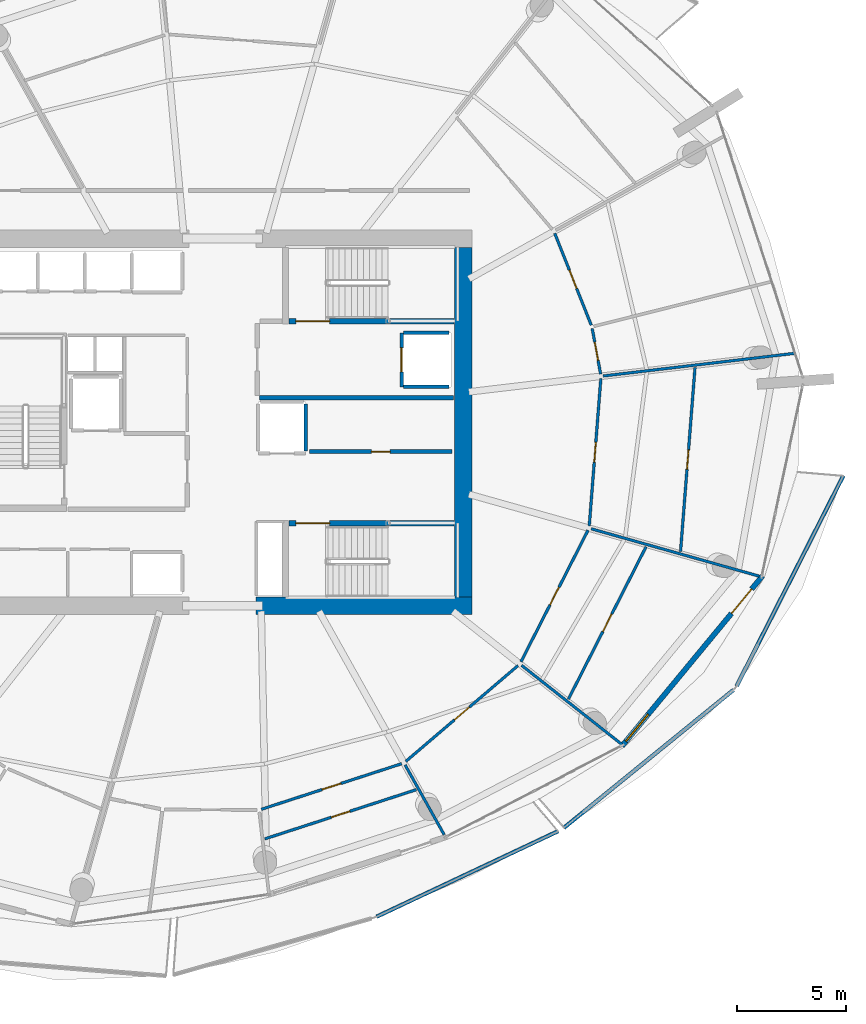
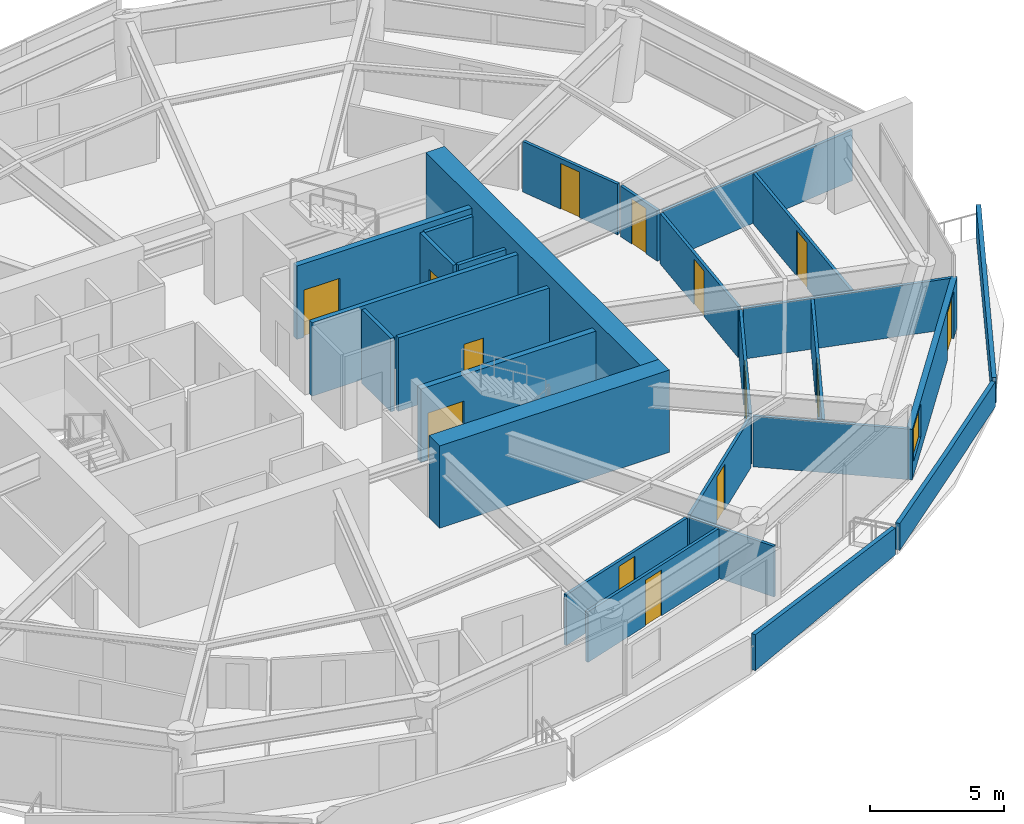
# One storey, part 12 of 19: 27 walls, 14 doors, 1 window, 15 openings.
"""IFC4 building model written with IfcOpenShell, lengths in metres."""

from ifc_helpers import new_model, si_unit, direction, frame, frame_2d, origin, place, context, subcontext, project, spatial, polyline, rectangle, outline, extrude, material, layer, layer_set, type_object, element, fill, save


model = new_model("IFC4")

# Units and contexts
model_context = context("Model", 3, precision=1e-05, world=origin(), true_north=direction((0.0, 1.0)))
body_context = subcontext(model_context, "Body", "Model", "MODEL_VIEW")
ifc_project = project(units=[si_unit("LENGTHUNIT", "METRE"), si_unit("AREAUNIT", "SQUARE_METRE"), si_unit("VOLUMEUNIT", "CUBIC_METRE"), si_unit("PLANEANGLEUNIT", "RADIAN"), si_unit("MASSUNIT", "GRAM", prefix="KILO")], contexts=[model_context])

# Site, building, storey
site_placement = place(None, origin())
site = spatial("IfcSite", under=ifc_project, at=site_placement, CompositionType="ELEMENT")
building_placement = place(site_placement, origin())
building = spatial("IfcBuilding", under=site, at=building_placement, Name="Kazma Halo Residences", CompositionType="ELEMENT")
storey_placement = place(building_placement, frame((0.0, 0.0, 172.800048828125)))
storey = spatial("IfcBuildingStorey", under=building, at=storey_placement, Name="L43", CompositionType="ELEMENT", Elevation=172.800048828125)

# Walls
ifc_material_1 = material(Name="White Concrete C50/60 Balustrade", Category="concrete")
ifc_layer_1 = layer(ifc_material_1, 0.179931640625)
ifc_layer_set_1 = layer_set([ifc_layer_1], Name="White Concrete C50/60 Balustrade")
wall_type_1 = type_object("IfcWallType", Name="WL-BAL-WAVE-180", PredefinedType="PARAPET", material=ifc_layer_set_1)
wall_1_placement = place(storey_placement, frame((55.4775390625, 19.371826171875, 0.0), z_axis=(0.0, 0.0, 1.0), x_axis=(0.904569140233, 0.42632695263, 0.0)))
element("IfcWall", 1, at=wall_1_placement, inside=storey, type_object=wall_type_1, Name="L43 white wave balustrade wall SSE.2", PredefinedType="PARAPET", context=body_context, shape_type="SweptSolid", body=[
    extrude(outline(polyline([(0.0, 0.0), (9.184326171875, 0.0), (9.184326171875, 1.23291015625), (4.59228515625, 1.41796875), (0.0, 1.6318359375), (0.0, 0.0)])), frame((0.0, 0.08984375, 0.0), z_axis=(0.0, -1.0, 0.0), x_axis=(1.0, 0.0, 0.0)), (0.0, 0.0, 1.0), 0.179931640625),
])
wall_2_placement = place(storey_placement, frame((64.048828125, 23.43994140625, 0.0), z_axis=(0.0, 0.0, 1.0), x_axis=(0.77587192649, 0.630890445073, 0.0)))
element("IfcWall", 2, at=wall_2_placement, inside=storey, type_object=wall_type_1, Name="L43 white wave balustrade wall SE.1", PredefinedType="PARAPET", context=body_context, shape_type="SweptSolid", body=[
    extrude(outline(polyline([(0.0, 0.0), (9.99755859375, 0.0), (9.99755859375, 1.14794921875), (4.998779296875, 1.126953125), (0.0, 1.223876953125), (0.0, 0.0)])), frame((0.0, 0.08984375, 0.0), z_axis=(0.0, -1.0, 0.0), x_axis=(1.0, 0.0, 0.0)), (0.0, 0.0, 1.0), 0.179931640625),
])
wall_3_placement = place(storey_placement, frame((71.952880859375, 29.929931640625, 0.0), z_axis=(0.0, 0.0, 1.0), x_axis=(0.452409779831, 0.891810176615, 0.0)))
element("IfcWall", 3, at=wall_3_placement, inside=storey, type_object=wall_type_1, Name="L43 white wave balustrade wall SE.2", PredefinedType="PARAPET", context=body_context, shape_type="SweptSolid", body=[
    extrude(outline(polyline([(0.0, 0.0), (10.790771484375, 0.0), (10.79052734375, 1.48291015625), (5.395263671875, 1.283935546875), (0.0, 1.14794921875), (0.0, 0.0)])), frame((0.0, 0.08984375, 0.0), z_axis=(0.0, -1.0, 0.0), x_axis=(1.0, 0.0, 0.0)), (0.0, 0.0, 1.0), 0.179931640625),
])
ifc_material_2 = material(Name="Concrete C80/95", Category="concrete")
ifc_layer_2 = layer(ifc_material_2, 0.800048828125)
ifc_layer_set_2 = layer_set([ifc_layer_2], Name="Concrete C80/95")
wall_type_2 = type_object("IfcWallType", Name="WL-CORE-800", PredefinedType="SHEAR", material=ifc_layer_set_2)
wall_4_placement = place(storey_placement, frame((49.949951171875, 33.60009765625, 0.0), z_axis=(0.0, 0.0, 1.0), x_axis=(1.0, 0.0, 0.0)))
element("IfcWall", 4, at=wall_4_placement, inside=storey, type_object=wall_type_2, Name="L43 central core shear wall SE", PredefinedType="SHEAR", context=body_context, shape_type="SweptSolid", body=[
    extrude(rectangle(XDim=9.900146484375, YDim=0.800048828125, at=frame_2d((4.9501953125, 0.0))), origin(), (0.0, 0.0, 1.0), 3.75),
])
wall_5_placement = place(storey_placement, frame((59.449951171875, 34.0, 0.0), z_axis=(0.0, 0.0, 1.0), x_axis=(0.0, 1.0, 0.0)))
element("IfcWall", 5, at=wall_5_placement, inside=storey, type_object=wall_type_2, Name="L43 central core shear wall E", PredefinedType="SHEAR", context=body_context, shape_type="SweptSolid", body=[
    extrude(rectangle(XDim=16.0, YDim=0.800048828125, at=frame_2d((8.0, 0.0))), origin(), (0.0, 0.0, 1.0), 3.75),
])

# Wall, openings, door, window
ifc_material_3 = material(Name="Insulated Pale-Metal Composite Wall")
ifc_layer_3 = layer(ifc_material_3, 0.239990234375)
ifc_layer_set_3 = layer_set([ifc_layer_3], Name="Insulated Pale-Metal Composite Wall")
wall_type_3 = type_object("IfcWallType", Name="WL-EXT-HOST-240", PredefinedType="SOLIDWALL", material=ifc_layer_set_3)
wall_6_placement = place(storey_placement, frame((66.70947265625, 27.18701171875, 0.0), z_axis=(0.0, 0.0, 1.0), x_axis=(0.636771922292, 0.77105221547, 0.0)))
wall_6 = element("IfcWall", 6, at=wall_6_placement, inside=storey, type_object=wall_type_3, Name="L43 exterior terrace-access wall B14", PredefinedType="SOLIDWALL", context=body_context, shape_type="SweptSolid", body=[
    extrude(rectangle(XDim=10.08154296875, YDim=0.239990234375, at=frame_2d((5.040771484375, 0.0))), origin(), (0.0, 0.0, 1.0), 2.300048828125),
])
opening_1_placement = place(wall_6_placement, frame((7.861572265625, 0.0, 0.0)))
opening_1 = element("IfcOpeningElement", 7, at=opening_1_placement, cuts=wall_6, Name="Opening DTR-1600", PredefinedType="OPENING", context=body_context, shape_type="SweptSolid", body=[
    extrude(rectangle(XDim=1.449951171875, YDim=2.14990234375, at=frame_2d((0.72509765625, 1.074951171875))), frame((0.0, 0.1298828125, 0.0), z_axis=(0.0, -1.0, 0.0), x_axis=(1.0, 0.0, 0.0)), (0.0, 0.0, 1.0), 0.260009765625),
])
opening_2_placement = place(wall_6_placement, frame((0.280029296875, 0.0, 0.64990234375)))
opening_2 = element("IfcOpeningElement", 8, at=opening_2_placement, cuts=wall_6, Name="Opening W-1800", PredefinedType="OPENING", context=body_context, shape_type="SweptSolid", body=[
    extrude(rectangle(XDim=1.60009765625, YDim=1.5, at=frame_2d((0.800048828125, 0.75))), frame((0.0, 0.1298828125, 0.0), z_axis=(0.0, -1.0, 0.0), x_axis=(1.0, 0.0, 0.0)), (0.0, 0.0, 1.0), 0.260009765625),
])
ifc_material_4 = material(Name="Aluminium AW-6063 T6 Double-Glazed Terrace Door", Category="aluminium")
door_type_1 = type_object("IfcDoorType", Name="DR-EXT-TERR-1600", OperationType="NOTDEFINED", PredefinedType="DOOR", material=ifc_material_4)
door_1_placement = place(opening_1_placement, origin())
door_1 = element("IfcDoor", 9, at=door_1_placement, inside=storey, type_object=door_type_1, Name="L43 B14 balcony terrace door", OperationType="DOUBLE_DOOR_SLIDING", OverallHeight=2.14990234375, OverallWidth=1.449951171875, PredefinedType="DOOR", context=body_context, shape_type="SweptSolid", body=[
    extrude(rectangle(XDim=1.449951171875, YDim=2.14990234375, at=frame_2d((0.72509765625, 1.074951171875))), frame((0.0, 0.02490234375, 0.0), z_axis=(0.0, -1.0, 0.0), x_axis=(1.0, 0.0, 0.0)), (0.0, 0.0, 1.0), 0.050048828125),
])
fill(opening_1, door_1)
ifc_material_5 = material(Name="Clear Triple-Silver Low-E Glass in Aluminium AW-6063 T6 Frame", Category="aluminium")
window_type = type_object("IfcWindowType", Name="WIN-RES-1800", PartitioningType="DOUBLE_PANEL_VERTICAL", PredefinedType="WINDOW", material=ifc_material_5)
window_placement = place(opening_2_placement, origin())
window = element("IfcWindow", 10, at=window_placement, inside=storey, type_object=window_type, Name="L43 B14 apartment window", OverallHeight=1.5, OverallWidth=1.60009765625, PartitioningType="SINGLE_PANEL", PredefinedType="WINDOW", context=body_context, shape_type="SweptSolid", body=[
    extrude(rectangle(XDim=1.60009765625, YDim=1.5, at=frame_2d((0.800048828125, 0.75))), frame((0.0, 0.030029296875, 0.0), z_axis=(0.0, -1.0, 0.0), x_axis=(1.0, 0.0, 0.0)), (0.0, 0.0, 1.0), 0.06005859375),
])
fill(opening_2, window)

# Wall, opening, door
ifc_material_6 = material(Name="Fire-Rated Blockwork Masonry", Category="masonry")
ifc_layer_4 = layer(ifc_material_6, 0.199951171875)
ifc_layer_set_4 = layer_set([ifc_layer_4], Name="Fire-Rated Blockwork Masonry")
wall_type_4 = type_object("IfcWallType", Name="WL-FLB-200", PredefinedType="PARTITIONING", material=ifc_layer_set_4)
wall_7_placement = place(storey_placement, frame((56.6201171875, 46.080078125, 0.0), z_axis=(0.0, 0.0, 1.0), x_axis=(0.0, -1.0, 0.0)))
wall_7 = element("IfcWall", 11, at=wall_7_placement, inside=storey, type_object=wall_type_4, Name="L43 lift shaft FL-02 front wall", PredefinedType="PARTITIONING", context=body_context, shape_type="SweptSolid", body=[
    extrude(rectangle(XDim=2.4599609375, YDim=0.159912109375, at=frame_2d((1.22998046875, 0.0))), origin(), (0.0, 0.0, 1.0), 3.349853515625),
])
opening_3_placement = place(wall_7_placement, frame((0.679931640625, 0.0, 0.0)))
opening_3 = element("IfcOpeningElement", 12, at=opening_3_placement, cuts=wall_7, Name="Opening LD-FL-02", PredefinedType="OPENING", context=body_context, shape_type="SweptSolid", body=[
    extrude(rectangle(XDim=1.10009765625, YDim=2.10009765625, at=frame_2d((0.550048828125, 1.050048828125))), frame((0.0, 0.08984375, 0.0), z_axis=(0.0, -1.0, 0.0), x_axis=(1.0, 0.0, 0.0)), (0.0, 0.0, 1.0), 0.179931640625),
])
ifc_material_7 = material(Name="Stainless Steel Fire-Rated", Category="steel")
door_type_2 = type_object("IfcDoorType", Name="DR-LIFT-SLD-1100", OperationType="DOUBLE_DOOR_SLIDING", PredefinedType="DOOR", material=ifc_material_7)
door_2_placement = place(opening_3_placement, origin())
door_2 = element("IfcDoor", 13, at=door_2_placement, inside=storey, type_object=door_type_2, Name="L43 lift FL-02 sliding landing door", OperationType="DOUBLE_DOOR_SLIDING", OverallHeight=2.10009765625, OverallWidth=1.10009765625, PredefinedType="DOOR", context=body_context, shape_type="SweptSolid", body=[
    extrude(rectangle(XDim=1.10009765625, YDim=2.10009765625, at=frame_2d((0.550048828125, 1.050048828125))), frame((0.0, 0.02490234375, 0.0), z_axis=(0.0, -1.0, 0.0), x_axis=(1.0, 0.0, 0.0)), (0.0, 0.0, 1.0), 0.050048828125),
])
fill(opening_3, door_2)

# Walls
for number, where, z_axis, x_axis, name in (
    (14, (56.719970703125, 46.080078125, 0.0), (0.0, 0.0, 1.0), (1.0, 0.0, 0.0), "L43 lift shaft FL-02 side wall N"),
    (15, (56.719970703125, 43.6201171875, 0.0), (0.0, 0.0, 1.0), (1.0, 0.0, 0.0), "L43 lift shaft FL-02 side wall S"),
):
    element("IfcWall", number, at=place(storey_placement, frame(where, z_axis=z_axis, x_axis=x_axis)), inside=storey, type_object=wall_type_4, Name=name, PredefinedType="PARTITIONING", context=body_context, shape_type="SweptSolid", body=[
        extrude(rectangle(XDim=2.06005859375, YDim=0.159912109375, at=frame_2d((1.030029296875, 0.0))), origin(), (0.0, 0.0, 1.0), 3.349853515625),
    ])
wall_8_placement = place(storey_placement, frame((52.22998046875, 40.669921875, 0.0), z_axis=(0.0, 0.0, 1.0), x_axis=(0.0, 1.0, 0.0)))
element("IfcWall", 16, at=wall_8_placement, inside=storey, type_object=wall_type_4, Name="L43 lift shaft SV-01 side wall E", PredefinedType="PARTITIONING", context=body_context, shape_type="SweptSolid", body=[
    extrude(rectangle(XDim=2.16015625, YDim=0.159912109375, at=frame_2d((1.080078125, 0.0))), origin(), (0.0, 0.0, 1.0), 3.349853515625),
])

# Wall, opening, door
wall_9_placement = place(storey_placement, frame((52.419921875, 40.64990234375, 0.0), z_axis=(0.0, 0.0, 1.0), x_axis=(1.0, 0.0, 0.0)))
wall_9 = element("IfcWall", 17, at=wall_9_placement, inside=storey, type_object=wall_type_4, Name="L43 core east reserve wall", PredefinedType="PARTITIONING", context=body_context, shape_type="SweptSolid", body=[
    extrude(rectangle(XDim=6.5, YDim=0.179931640625, at=frame_2d((3.25, 0.0))), origin(), (0.0, 0.0, 1.0), 3.349853515625),
])
opening_4_placement = place(wall_9_placement, frame((2.824951171875, 0.0, 0.0)))
opening_4 = element("IfcOpeningElement", 18, at=opening_4_placement, cuts=wall_9, Name="Opening DS-850", PredefinedType="OPENING", context=body_context, shape_type="SweptSolid", body=[
    extrude(rectangle(XDim=0.85009765625, YDim=2.06005859375, at=frame_2d((0.425048828125, 1.030029296875))), frame((0.0, 0.099853515625, 0.0), z_axis=(0.0, -1.0, 0.0), x_axis=(1.0, 0.0, 0.0)), (0.0, 0.0, 1.0), 0.199951171875),
])
ifc_material_8 = material(Name="Painted Steel Access Leaf", Category="steel")
door_type_3 = type_object("IfcDoorType", Name="DR-SVC-850", OperationType="NOTDEFINED", PredefinedType="DOOR", material=ifc_material_8)
door_3_placement = place(opening_4_placement, origin())
door_3 = element("IfcDoor", 19, at=door_3_placement, inside=storey, type_object=door_type_3, Name="L43 core east reserve door", OperationType="SINGLE_SWING_RIGHT", OverallHeight=2.06005859375, OverallWidth=0.85009765625, PredefinedType="DOOR", context=body_context, shape_type="SweptSolid", body=[
    extrude(rectangle(XDim=0.85009765625, YDim=2.06005859375, at=frame_2d((0.425048828125, 1.030029296875))), frame((0.0, 0.02490234375, 0.0), z_axis=(0.0, -1.0, 0.0), x_axis=(1.0, 0.0, 0.0)), (0.0, 0.0, 1.0), 0.050048828125),
])
fill(opening_4, door_3)

# Wall
wall_10_placement = place(storey_placement, frame((50.1201171875, 43.1201171875, 0.0), z_axis=(0.0, 0.0, 1.0), x_axis=(1.0, 0.0, 0.0)))
element("IfcWall", 20, at=wall_10_placement, inside=storey, type_object=wall_type_4, Name="L43 east firefighting lobby south smoke wall", PredefinedType="PARTITIONING", context=body_context, shape_type="SweptSolid", body=[
    extrude(rectangle(XDim=8.8798828125, YDim=0.199951171875, at=frame_2d((4.43994140625, 0.0))), origin(), (0.0, 0.0, 1.0), 3.349853515625),
])

# Wall, opening, door
ifc_material_9 = material(Name="Gypsum Plasterboard Partition")
ifc_layer_5 = layer(ifc_material_9, 0.125)
ifc_layer_set_5 = layer_set([ifc_layer_5], Name="Gypsum Plasterboard Partition")
wall_type_5 = type_object("IfcWallType", Name="WL-PART-125", PredefinedType="PARTITIONING", material=ifc_layer_set_5)
wall_11_placement = place(storey_placement, frame((50.205078125, 24.287841796875, 0.0), z_axis=(0.0, 0.0, 1.0), x_axis=(0.951056650279, 0.309016582016, 0.0)))
wall_11 = element("IfcWall", 21, at=wall_11_placement, inside=storey, type_object=wall_type_5, Name="L43 Apartment 2 East Study hall wall", PredefinedType="PARTITIONING", context=body_context, shape_type="SweptSolid", body=[
    extrude(rectangle(XDim=6.752685546875, YDim=0.125, at=frame_2d((3.37646484375, 0.0))), origin(), (0.0, 0.0, 1.0), 2.306884765625),
])
opening_5_placement = place(wall_11_placement, frame((2.92626953125, 0.0, 0.0)))
opening_5 = element("IfcOpeningElement", 22, at=opening_5_placement, cuts=wall_11, Name="Opening DI-950", PredefinedType="OPENING", context=body_context, shape_type="SweptSolid", body=[
    extrude(rectangle(XDim=0.89990234375, YDim=2.080078125, at=frame_2d((0.449951171875, 1.0400390625))), frame((0.0, 0.072509765625, 0.0), z_axis=(0.0, -1.0, 0.0), x_axis=(1.0, 0.0, 0.0)), (0.0, 0.0, 1.0), 0.14501953125),
])
ifc_material_10 = material(Name="Timber Veneer Flush Leaf", Category="wood")
door_type_4 = type_object("IfcDoorType", Name="DR-INT-950", OperationType="NOTDEFINED", PredefinedType="DOOR", material=ifc_material_10)
door_4_placement = place(opening_5_placement, origin())
door_4 = element("IfcDoor", 23, at=door_4_placement, inside=storey, type_object=door_type_4, Name="L43 Apartment 2 East Study door", OperationType="SINGLE_SWING_LEFT", OverallHeight=2.080078125, OverallWidth=0.89990234375, PredefinedType="DOOR", context=body_context, shape_type="SweptSolid", body=[
    extrude(rectangle(XDim=0.89990234375, YDim=2.080078125, at=frame_2d((0.449951171875, 1.0400390625))), frame((0.0, 0.02490234375, 0.0), z_axis=(0.0, -1.0, 0.0), x_axis=(1.0, 0.0, 0.0)), (0.0, 0.0, 1.0), 0.050048828125),
])
fill(opening_5, door_4)

wall_12_placement = place(storey_placement, frame((50.365234375, 22.934326171875, 0.0), z_axis=(0.0, 0.0, 1.0), x_axis=(0.951058941496, 0.309009530274, 0.0)))
wall_12 = element("IfcWall", 24, at=wall_12_placement, inside=storey, type_object=wall_type_5, Name="L43 Apartment 2 West Bedroom divider wall", PredefinedType="PARTITIONING", context=body_context, shape_type="SweptSolid", body=[
    extrude(rectangle(XDim=7.284423828125, YDim=0.125, at=frame_2d((3.64208984375, 0.0))), origin(), (0.0, 0.0, 1.0), 2.306884765625),
])
opening_6_placement = place(wall_12_placement, frame((3.192138671875, 0.0, 0.0)))
opening_6 = element("IfcOpeningElement", 25, at=opening_6_placement, cuts=wall_12, Name="Opening DI-950", PredefinedType="OPENING", context=body_context, shape_type="SweptSolid", body=[
    extrude(rectangle(XDim=0.89990234375, YDim=2.080078125, at=frame_2d((0.449951171875, 1.0400390625))), frame((0.0, 0.072509765625, 0.0), z_axis=(0.0, -1.0, 0.0), x_axis=(1.0, 0.0, 0.0)), (0.0, 0.0, 1.0), 0.14501953125),
])
door_5_placement = place(opening_6_placement, origin())
door_5 = element("IfcDoor", 26, at=door_5_placement, inside=storey, type_object=door_type_4, Name="L43 Apartment 2 West Bedroom door", OperationType="SINGLE_SWING_RIGHT", OverallHeight=2.080078125, OverallWidth=0.89990234375, PredefinedType="DOOR", context=body_context, shape_type="SweptSolid", body=[
    extrude(rectangle(XDim=0.89990234375, YDim=2.080078125, at=frame_2d((0.449951171875, 1.0400390625))), frame((0.0, 0.02490234375, 0.0), z_axis=(0.0, -1.0, 0.0), x_axis=(1.0, 0.0, 0.0)), (0.0, 0.0, 1.0), 0.050048828125),
])
fill(opening_6, door_5)

# Wall
wall_13_placement = place(storey_placement, frame((56.780517578125, 26.3212890625, 0.0), z_axis=(0.0, 0.0, 1.0), x_axis=(0.488615541235, -0.872499199348, 0.0)))
element("IfcWall", 27, at=wall_13_placement, inside=storey, type_object=wall_type_5, Name="L43 Apartment 2 radial partition 12", PredefinedType="PARTITIONING", context=body_context, shape_type="SweptSolid", body=[
    extrude(rectangle(XDim=3.66455078125, YDim=0.125, at=frame_2d((1.832275390625, 0.0))), origin(), (0.0, 0.0, 1.0), 2.306884765625),
])

# Wall, opening, door
wall_14_placement = place(storey_placement, frame((56.815185546875, 26.47998046875, 0.0), z_axis=(0.0, 0.0, 1.0), x_axis=(0.760406411553, 0.649447526186, 0.0)))
wall_14 = element("IfcWall", 28, at=wall_14_placement, inside=storey, type_object=wall_type_5, Name="L43 Apartment 2 North Formal Dining Room gallery wall", PredefinedType="PARTITIONING", context=body_context, shape_type="SweptSolid", body=[
    extrude(rectangle(XDim=6.752685546875, YDim=0.125, at=frame_2d((3.37646484375, 0.0))), origin(), (0.0, 0.0, 1.0), 2.306884765625),
])
opening_7_placement = place(wall_14_placement, frame((2.92626953125, 0.0, 0.0)))
opening_7 = element("IfcOpeningElement", 29, at=opening_7_placement, cuts=wall_14, Name="Opening DI-950", PredefinedType="OPENING", context=body_context, shape_type="SweptSolid", body=[
    extrude(rectangle(XDim=0.89990234375, YDim=2.080078125, at=frame_2d((0.449951171875, 1.0400390625))), frame((0.0, 0.072509765625, 0.0), z_axis=(0.0, -1.0, 0.0), x_axis=(1.0, 0.0, 0.0)), (0.0, 0.0, 1.0), 0.14501953125),
])
door_6_placement = place(opening_7_placement, origin())
door_6 = element("IfcDoor", 30, at=door_6_placement, inside=storey, type_object=door_type_4, Name="L43 Apartment 2 North Formal Dining Room door", OperationType="SINGLE_SWING_RIGHT", OverallHeight=2.080078125, OverallWidth=0.89990234375, PredefinedType="DOOR", context=body_context, shape_type="SweptSolid", body=[
    extrude(rectangle(XDim=0.89990234375, YDim=2.080078125, at=frame_2d((0.449951171875, 1.0400390625))), frame((0.0, 0.02490234375, 0.0), z_axis=(0.0, -1.0, 0.0), x_axis=(1.0, 0.0, 0.0)), (0.0, 0.0, 1.0), 0.050048828125),
])
fill(opening_7, door_6)

# Wall
wall_15_placement = place(storey_placement, frame((62.112060546875, 30.875, 0.0), z_axis=(0.0, 0.0, 1.0), x_axis=(0.785328664081, -0.619079065526, 0.0)))
element("IfcWall", 31, at=wall_15_placement, inside=storey, type_object=wall_type_5, Name="L43 Apartment 2 radial partition 13", PredefinedType="PARTITIONING", context=body_context, shape_type="SweptSolid", body=[
    extrude(rectangle(XDim=5.86962890625, YDim=0.125, at=frame_2d((2.934814453125, 0.0))), origin(), (0.0, 0.0, 1.0), 2.306884765625),
])

# Wall, opening, door
wall_16_placement = place(storey_placement, frame((62.08349609375, 31.034912109375, 0.0), z_axis=(0.0, 0.0, 1.0), x_axis=(0.453997813939, 0.89100279738, 0.0)))
wall_16 = element("IfcWall", 32, at=wall_16_placement, inside=storey, type_object=wall_type_5, Name="L43 Apartment 2 South Study hall wall", PredefinedType="PARTITIONING", context=body_context, shape_type="SweptSolid", body=[
    extrude(rectangle(XDim=6.752685546875, YDim=0.125, at=frame_2d((3.37646484375, 0.0))), origin(), (0.0, 0.0, 1.0), 2.306884765625),
])
opening_8_placement = place(wall_16_placement, frame((2.92626953125, 0.0, 0.0)))
opening_8 = element("IfcOpeningElement", 33, at=opening_8_placement, cuts=wall_16, Name="Opening DI-950", PredefinedType="OPENING", context=body_context, shape_type="SweptSolid", body=[
    extrude(rectangle(XDim=0.89990234375, YDim=2.080078125, at=frame_2d((0.449951171875, 1.0400390625))), frame((0.0, 0.072509765625, 0.0), z_axis=(0.0, -1.0, 0.0), x_axis=(1.0, 0.0, 0.0)), (0.0, 0.0, 1.0), 0.14501953125),
])
door_7_placement = place(opening_8_placement, origin())
door_7 = element("IfcDoor", 34, at=door_7_placement, inside=storey, type_object=door_type_4, Name="L43 Apartment 2 South Study door", OperationType="SINGLE_SWING_LEFT", OverallHeight=2.080078125, OverallWidth=0.89990234375, PredefinedType="DOOR", context=body_context, shape_type="SweptSolid", body=[
    extrude(rectangle(XDim=0.89990234375, YDim=2.080078125, at=frame_2d((0.449951171875, 1.0400390625))), frame((0.0, 0.02490234375, 0.0), z_axis=(0.0, -1.0, 0.0), x_axis=(1.0, 0.0, 0.0)), (0.0, 0.0, 1.0), 0.050048828125),
])
fill(opening_8, door_7)

wall_17_placement = place(storey_placement, frame((64.252685546875, 29.324951171875, 0.0), z_axis=(0.0, 0.0, 1.0), x_axis=(0.454010321108, 0.890996424419, 0.0)))
wall_17 = element("IfcWall", 35, at=wall_17_placement, inside=storey, type_object=wall_type_5, Name="L43 Apartment 2 Inner Master Bedroom divider wall", PredefinedType="PARTITIONING", context=body_context, shape_type="SweptSolid", body=[
    extrude(rectangle(XDim=7.830078125, YDim=0.125, at=frame_2d((3.9150390625, 0.0))), origin(), (0.0, 0.0, 1.0), 2.306884765625),
])
opening_9_placement = place(wall_17_placement, frame((3.465087890625, 0.0, 0.0)))
opening_9 = element("IfcOpeningElement", 36, at=opening_9_placement, cuts=wall_17, Name="Opening DI-950", PredefinedType="OPENING", context=body_context, shape_type="SweptSolid", body=[
    extrude(rectangle(XDim=0.89990234375, YDim=2.080078125, at=frame_2d((0.449951171875, 1.0400390625))), frame((0.0, 0.072509765625, 0.0), z_axis=(0.0, -1.0, 0.0), x_axis=(1.0, 0.0, 0.0)), (0.0, 0.0, 1.0), 0.14501953125),
])
door_8_placement = place(opening_9_placement, origin())
door_8 = element("IfcDoor", 37, at=door_8_placement, inside=storey, type_object=door_type_4, Name="L43 Apartment 2 Inner Master Bedroom door", OperationType="SINGLE_SWING_RIGHT", OverallHeight=2.080078125, OverallWidth=0.89990234375, PredefinedType="DOOR", context=body_context, shape_type="SweptSolid", body=[
    extrude(rectangle(XDim=0.89990234375, YDim=2.080078125, at=frame_2d((0.449951171875, 1.0400390625))), frame((0.0, 0.02490234375, 0.0), z_axis=(0.0, -1.0, 0.0), x_axis=(1.0, 0.0, 0.0)), (0.0, 0.0, 1.0), 0.050048828125),
])
fill(opening_9, door_8)

# Wall
wall_18_placement = place(storey_placement, frame((65.29541015625, 37.122314453125, 0.0), z_axis=(0.0, 0.0, 1.0), x_axis=(0.962453364466, -0.271447087346, 0.0)))
element("IfcWall", 38, at=wall_18_placement, inside=storey, type_object=wall_type_5, Name="L43 Apartment 2 radial partition 14", PredefinedType="PARTITIONING", context=body_context, shape_type="SweptSolid", body=[
    extrude(rectangle(XDim=7.981201171875, YDim=0.125, at=frame_2d((3.99072265625, 0.0))), origin(), (0.0, 0.0, 1.0), 2.306884765625),
])

# Wall, opening, door
wall_19_placement = place(storey_placement, frame((65.207763671875, 37.259033203125, 0.0), z_axis=(0.0, 0.0, 1.0), x_axis=(0.078457580711, 0.996917452966, 0.0)))
wall_19 = element("IfcWall", 39, at=wall_19_placement, inside=storey, type_object=wall_type_5, Name="L43 Apartment 2 Outer Study hall wall", PredefinedType="PARTITIONING", context=body_context, shape_type="SweptSolid", body=[
    extrude(rectangle(XDim=6.75244140625, YDim=0.125, at=frame_2d((3.376220703125, 0.0))), origin(), (0.0, 0.0, 1.0), 2.306884765625),
])
opening_10_placement = place(wall_19_placement, frame((2.92626953125, 0.0, 0.0)))
opening_10 = element("IfcOpeningElement", 40, at=opening_10_placement, cuts=wall_19, Name="Opening DI-950", PredefinedType="OPENING", context=body_context, shape_type="SweptSolid", body=[
    extrude(rectangle(XDim=0.89990234375, YDim=2.080078125, at=frame_2d((0.449951171875, 1.0400390625))), frame((0.0, 0.072509765625, 0.0), z_axis=(0.0, -1.0, 0.0), x_axis=(1.0, 0.0, 0.0)), (0.0, 0.0, 1.0), 0.14501953125),
])
door_9_placement = place(opening_10_placement, origin())
door_9 = element("IfcDoor", 41, at=door_9_placement, inside=storey, type_object=door_type_4, Name="L43 Apartment 2 Outer Study door", OperationType="SINGLE_SWING_RIGHT", OverallHeight=2.080078125, OverallWidth=0.89990234375, PredefinedType="DOOR", context=body_context, shape_type="SweptSolid", body=[
    extrude(rectangle(XDim=0.89990234375, YDim=2.080078125, at=frame_2d((0.449951171875, 1.0400390625))), frame((0.0, 0.02490234375, 0.0), z_axis=(0.0, -1.0, 0.0), x_axis=(1.0, 0.0, 0.0)), (0.0, 0.0, 1.0), 0.050048828125),
])
fill(opening_10, door_9)

wall_20_placement = place(storey_placement, frame((69.3837890625, 36.081298828125, 0.0), z_axis=(0.0, 0.0, 1.0), x_axis=(0.078456019855, 0.996917575805, 0.0)))
wall_20 = element("IfcWall", 42, at=wall_20_placement, inside=storey, type_object=wall_type_5, Name="L43 Apartment 2 Corner Master Bedroom divider wall", PredefinedType="PARTITIONING", context=body_context, shape_type="SweptSolid", body=[
    extrude(rectangle(XDim=8.445556640625, YDim=0.125, at=frame_2d((4.22265625, 0.0))), origin(), (0.0, 0.0, 1.0), 2.306884765625),
])
opening_11_placement = place(wall_20_placement, frame((3.772705078125, 0.0, 0.0)))
opening_11 = element("IfcOpeningElement", 43, at=opening_11_placement, cuts=wall_20, Name="Opening DI-950", PredefinedType="OPENING", context=body_context, shape_type="SweptSolid", body=[
    extrude(rectangle(XDim=0.89990234375, YDim=2.080078125, at=frame_2d((0.449951171875, 1.0400390625))), frame((0.0, 0.072509765625, 0.0), z_axis=(0.0, -1.0, 0.0), x_axis=(1.0, 0.0, 0.0)), (0.0, 0.0, 1.0), 0.14501953125),
])
door_10_placement = place(opening_11_placement, origin())
door_10 = element("IfcDoor", 44, at=door_10_placement, inside=storey, type_object=door_type_4, Name="L43 Apartment 2 Corner Master Bedroom door", OperationType="SINGLE_SWING_LEFT", OverallHeight=2.080078125, OverallWidth=0.89990234375, PredefinedType="DOOR", context=body_context, shape_type="SweptSolid", body=[
    extrude(rectangle(XDim=0.89990234375, YDim=2.080078125, at=frame_2d((0.449951171875, 1.0400390625))), frame((0.0, 0.02490234375, 0.0), z_axis=(0.0, -1.0, 0.0), x_axis=(1.0, 0.0, 0.0)), (0.0, 0.0, 1.0), 0.050048828125),
])
fill(opening_11, door_10)

# Wall
wall_21_placement = place(storey_placement, frame((65.845458984375, 44.1123046875, 0.0), z_axis=(0.0, 0.0, 1.0), x_axis=(0.993069843717, 0.117525680174, 0.0)))
element("IfcWall", 45, at=wall_21_placement, inside=storey, type_object=wall_type_5, Name="L43 Apartment 2 radial partition 15", PredefinedType="PARTITIONING", context=body_context, shape_type="SweptSolid", body=[
    extrude(rectangle(XDim=8.816162109375, YDim=0.125, at=frame_2d((4.408203125, 0.0))), origin(), (0.0, 0.0, 1.0), 2.306884765625),
])

# Wall, opening, door
wall_22_placement = place(storey_placement, frame((65.72802734375, 44.19873046875, 0.0), z_axis=(0.0, 0.0, 1.0), x_axis=(-0.181256219824, 0.983435906796, 0.0)))
wall_22 = element("IfcWall", 46, at=wall_22_placement, inside=storey, type_object=wall_type_5, Name="L43 Apartment 2 Garden Wine Pantry Store hall wall", PredefinedType="PARTITIONING", context=body_context, shape_type="SweptSolid", body=[
    extrude(rectangle(XDim=2.1201171875, YDim=0.125, at=frame_2d((1.06005859375, 0.0))), origin(), (0.0, 0.0, 1.0), 2.306884765625),
])
opening_12_placement = place(wall_22_placement, frame((0.635009765625, 0.0, 0.0)))
opening_12 = element("IfcOpeningElement", 47, at=opening_12_placement, cuts=wall_22, Name="Opening DB-900", PredefinedType="OPENING", context=body_context, shape_type="SweptSolid", body=[
    extrude(rectangle(XDim=0.85009765625, YDim=2.06005859375, at=frame_2d((0.425048828125, 1.030029296875))), frame((0.0, 0.072509765625, 0.0), z_axis=(0.0, -1.0, 0.0), x_axis=(1.0, 0.0, 0.0)), (0.0, 0.0, 1.0), 0.14501953125),
])
ifc_material_11 = material(Name="Moisture-Sealed Timber Leaf", Category="wood")
door_type_5 = type_object("IfcDoorType", Name="DR-BTH-900", OperationType="NOTDEFINED", PredefinedType="DOOR", material=ifc_material_11)
door_11_placement = place(opening_12_placement, origin())
door_11 = element("IfcDoor", 48, at=door_11_placement, inside=storey, type_object=door_type_5, Name="L43 Apartment 2 Garden Wine Pantry Store door", OperationType="SINGLE_SWING_LEFT", OverallHeight=2.06005859375, OverallWidth=0.85009765625, PredefinedType="DOOR", context=body_context, shape_type="SweptSolid", body=[
    extrude(rectangle(XDim=0.85009765625, YDim=2.06005859375, at=frame_2d((0.425048828125, 1.030029296875))), frame((0.0, 0.02490234375, 0.0), z_axis=(0.0, -1.0, 0.0), x_axis=(1.0, 0.0, 0.0)), (0.0, 0.0, 1.0), 0.050048828125),
])
fill(opening_12, door_11)

wall_23_placement = place(storey_placement, frame((65.2998046875, 46.436767578125, 0.0), z_axis=(0.0, 0.0, 1.0), x_axis=(-0.369584254435, 0.929197222808, 0.0)))
wall_23 = element("IfcWall", 49, at=wall_23_placement, inside=storey, type_object=wall_type_5, Name="L43 Apartment 2 Sky Formal Dining Room hall wall", PredefinedType="PARTITIONING", context=body_context, shape_type="SweptSolid", body=[
    extrude(rectangle(XDim=4.5224609375, YDim=0.125, at=frame_2d((2.26123046875, 0.0))), origin(), (0.0, 0.0, 1.0), 2.306884765625),
])
opening_13_placement = place(wall_23_placement, frame((1.81103515625, 0.0, 0.0)))
opening_13 = element("IfcOpeningElement", 50, at=opening_13_placement, cuts=wall_23, Name="Opening DI-950", PredefinedType="OPENING", context=body_context, shape_type="SweptSolid", body=[
    extrude(rectangle(XDim=0.89990234375, YDim=2.080078125, at=frame_2d((0.449951171875, 1.0400390625))), frame((0.0, 0.072509765625, 0.0), z_axis=(0.0, -1.0, 0.0), x_axis=(1.0, 0.0, 0.0)), (0.0, 0.0, 1.0), 0.14501953125),
])
door_12_placement = place(opening_13_placement, origin())
door_12 = element("IfcDoor", 51, at=door_12_placement, inside=storey, type_object=door_type_4, Name="L43 Apartment 2 Sky Formal Dining Room door", OperationType="SINGLE_SWING_RIGHT", OverallHeight=2.080078125, OverallWidth=0.89990234375, PredefinedType="DOOR", context=body_context, shape_type="SweptSolid", body=[
    extrude(rectangle(XDim=0.89990234375, YDim=2.080078125, at=frame_2d((0.449951171875, 1.0400390625))), frame((0.0, 0.02490234375, 0.0), z_axis=(0.0, -1.0, 0.0), x_axis=(1.0, 0.0, 0.0)), (0.0, 0.0, 1.0), 0.050048828125),
])
fill(opening_13, door_12)

ifc_material_12 = material(Name="Concrete C50/60", Category="concrete")
ifc_layer_6 = layer(ifc_material_12, 0.25)
ifc_layer_set_6 = layer_set([ifc_layer_6], Name="Concrete C50/60")
wall_type_6 = type_object("IfcWallType", Name="WL-SHF-250", PredefinedType="SOLIDWALL", material=ifc_layer_set_6)
wall_24_placement = place(storey_placement, frame((51.47998046875, 46.6201171875, 0.0), z_axis=(0.0, 0.0, 1.0), x_axis=(1.0, 0.0, 0.0)))
wall_24 = element("IfcWall", 52, at=wall_24_placement, inside=storey, type_object=wall_type_6, Name="L43 exit stair ST-02 enclosure wall", PredefinedType="SOLIDWALL", context=body_context, shape_type="SweptSolid", body=[
    extrude(rectangle(XDim=7.5400390625, YDim=0.25, at=frame_2d((3.77001953125, 0.0))), origin(), (0.0, 0.0, 1.0), 3.349853515625),
])
opening_14_placement = place(wall_24_placement, frame((0.300048828125, 0.0, 0.0)))
opening_14 = element("IfcOpeningElement", 53, at=opening_14_placement, cuts=wall_24, Name="Opening D-ST2", PredefinedType="OPENING", context=body_context, shape_type="SweptSolid", body=[
    extrude(rectangle(XDim=1.550048828125, YDim=2.14990234375, at=frame_2d((0.77490234375, 1.074951171875))), frame((0.0, 0.135009765625, 0.0), z_axis=(0.0, -1.0, 0.0), x_axis=(1.0, 0.0, 0.0)), (0.0, 0.0, 1.0), 0.27001953125),
])
ifc_material_13 = material(Name="Fire-Rated Double Steel Leaf", Category="steel")
door_type_6 = type_object("IfcDoorType", Name="DR-FD90-1550", OperationType="NOTDEFINED", PredefinedType="DOOR", material=ifc_material_13)
door_13_placement = place(opening_14_placement, origin())
door_13 = element("IfcDoor", 54, at=door_13_placement, inside=storey, type_object=door_type_6, Name="L43 exit stair ST-02 fire door", OperationType="DOUBLE_DOOR_SINGLE_SWING", OverallHeight=2.14990234375, OverallWidth=1.550048828125, PredefinedType="DOOR", context=body_context, shape_type="SweptSolid", body=[
    extrude(rectangle(XDim=1.550048828125, YDim=2.14990234375, at=frame_2d((0.77490234375, 1.074951171875))), frame((0.0, 0.02490234375, 0.0), z_axis=(0.0, -1.0, 0.0), x_axis=(1.0, 0.0, 0.0)), (0.0, 0.0, 1.0), 0.050048828125),
])
fill(opening_14, door_13)

wall_25_placement = place(storey_placement, frame((51.47998046875, 37.3798828125, 0.0), z_axis=(0.0, 0.0, 1.0), x_axis=(1.0, 0.0, 0.0)))
wall_25 = element("IfcWall", 55, at=wall_25_placement, inside=storey, type_object=wall_type_6, Name="L43 exit stair ST-03 enclosure wall", PredefinedType="SOLIDWALL", context=body_context, shape_type="SweptSolid", body=[
    extrude(rectangle(XDim=7.5400390625, YDim=0.25, at=frame_2d((3.77001953125, 0.0))), origin(), (0.0, 0.0, 1.0), 3.349853515625),
])
opening_15_placement = place(wall_25_placement, frame((0.300048828125, 0.0, 0.0)))
opening_15 = element("IfcOpeningElement", 56, at=opening_15_placement, cuts=wall_25, Name="Opening D-ST3", PredefinedType="OPENING", context=body_context, shape_type="SweptSolid", body=[
    extrude(rectangle(XDim=1.550048828125, YDim=2.14990234375, at=frame_2d((0.77490234375, 1.074951171875))), frame((0.0, 0.135009765625, 0.0), z_axis=(0.0, -1.0, 0.0), x_axis=(1.0, 0.0, 0.0)), (0.0, 0.0, 1.0), 0.27001953125),
])
door_14_placement = place(opening_15_placement, origin())
door_14 = element("IfcDoor", 57, at=door_14_placement, inside=storey, type_object=door_type_6, Name="L43 exit stair ST-03 fire door", OperationType="DOUBLE_DOOR_SINGLE_SWING", OverallHeight=2.14990234375, OverallWidth=1.550048828125, PredefinedType="DOOR", context=body_context, shape_type="SweptSolid", body=[
    extrude(rectangle(XDim=1.550048828125, YDim=2.14990234375, at=frame_2d((0.77490234375, 1.074951171875))), frame((0.0, 0.02490234375, 0.0), z_axis=(0.0, -1.0, 0.0), x_axis=(1.0, 0.0, 0.0)), (0.0, 0.0, 1.0), 0.050048828125),
])
fill(opening_15, door_14)

save(model, "model.ifc")
